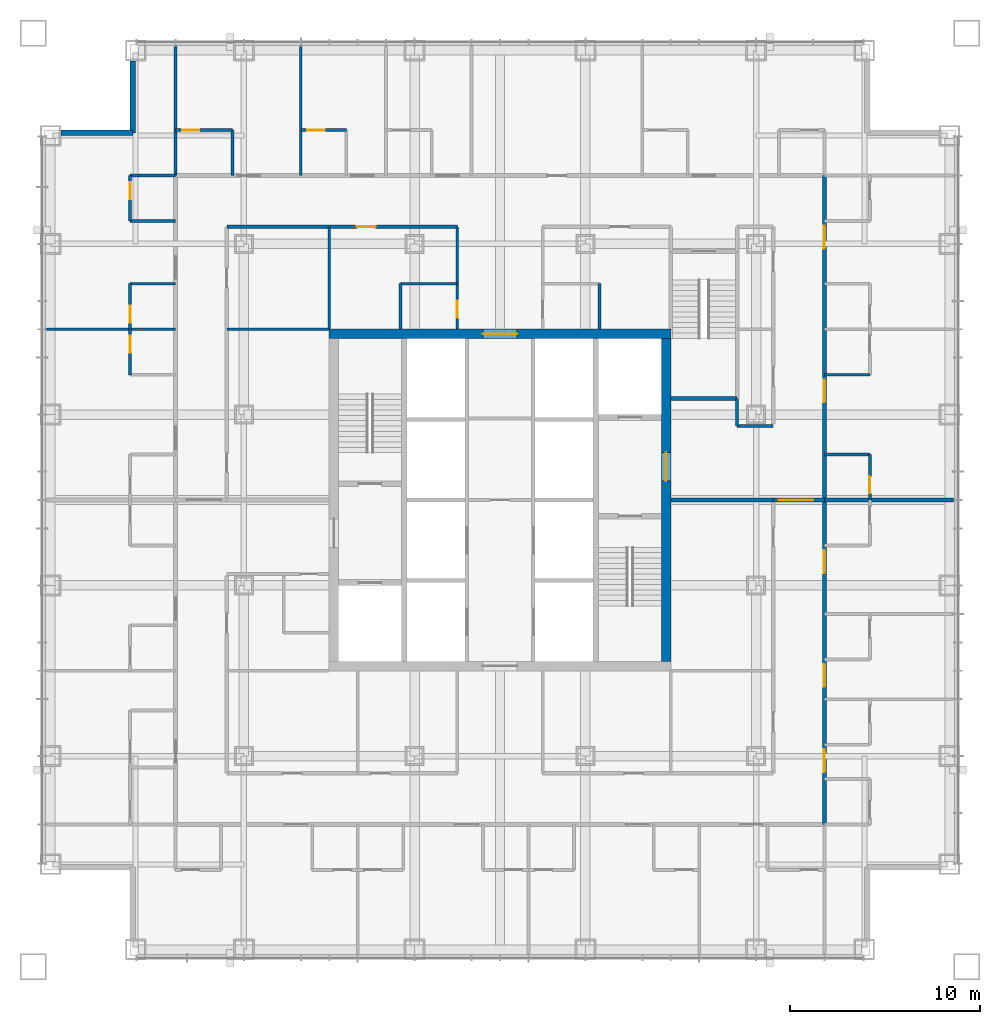
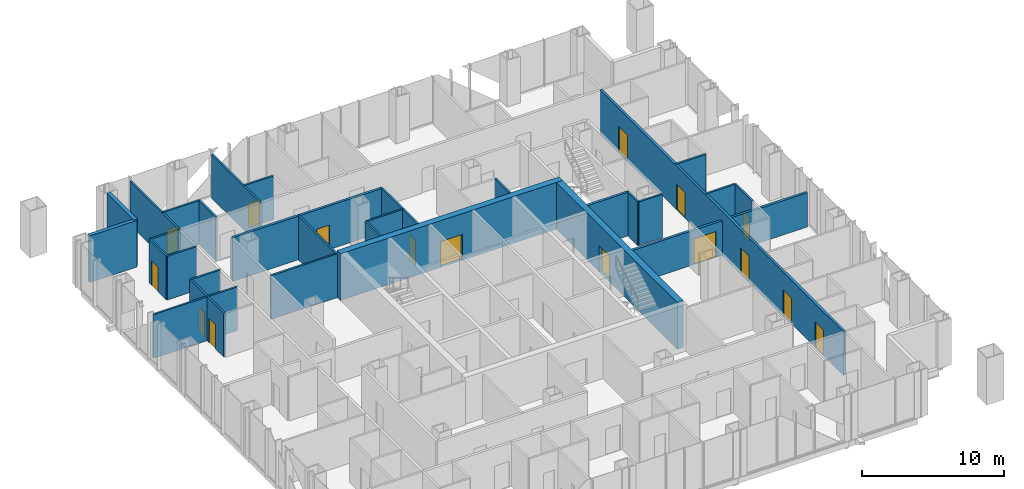
# One storey, part 11 of 16: 33 walls, 16 doors, 16 openings.
"""IFC4 building model written with IfcOpenShell, lengths in metres."""

from ifc_helpers import new_model, si_unit, direction, frame, frame_2d, origin, place, context, subcontext, project, spatial, rectangle, extrude, material, layer, layer_set, type_object, element, fill, save


model = new_model("IFC4")

# Units and contexts
model_context = context("Model", 3, precision=1e-05, world=origin(), true_north=direction((0.0, 1.0)))
body_context = subcontext(model_context, "Body", "Model", "MODEL_VIEW")
ifc_project = project(units=[si_unit("LENGTHUNIT", "METRE"), si_unit("AREAUNIT", "SQUARE_METRE"), si_unit("VOLUMEUNIT", "CUBIC_METRE"), si_unit("PLANEANGLEUNIT", "RADIAN"), si_unit("MASSUNIT", "GRAM", prefix="KILO")], contexts=[model_context])

# Site, building, storey
site_placement = place(None, origin())
site = spatial("IfcSite", under=ifc_project, at=site_placement, CompositionType="ELEMENT")
building_placement = place(site_placement, origin())
building = spatial("IfcBuilding", under=site, at=building_placement, Name="Malebo Sky Hospital", CompositionType="ELEMENT")
storey_placement = place(building_placement, frame((0.0, 0.0, 108.0)))
storey = spatial("IfcBuildingStorey", under=building, at=storey_placement, Name="L25", CompositionType="ELEMENT", Elevation=108.0)

# Wall, opening, door
ifc_material_1 = material(Name="Concrete C80/95", Category="concrete")
ifc_layer_1 = layer(ifc_material_1, 0.5)
ifc_layer_set_1 = layer_set([ifc_layer_1], Name="CORE WALL 500")
wall_type_1 = type_object("IfcWallType", Name="CORE WALL 500", PredefinedType="SHEAR", material=ifc_layer_set_1)
wall_1_placement = place(storey_placement, frame((51.0, 70.75, 0.0), z_axis=(0.0, 0.0, 1.0), x_axis=(1.0, 0.0, 0.0)))
wall_1 = element("IfcWall", 1, at=wall_1_placement, inside=storey, type_object=wall_type_1, Name="Core wall N L25", PredefinedType="SHEAR", context=body_context, shape_type="SweptSolid", body=[
    extrude(rectangle(XDim=18.0, YDim=0.5, at=frame_2d((9.0, 0.0))), origin(), (0.0, 0.0, 1.0), 4.0),
])
opening_1_placement = place(wall_1_placement, frame((8.10009765625, 0.0, 0.0)))
opening_1 = element("IfcOpeningElement", 2, at=opening_1_placement, cuts=wall_1, Name="Opening D06", PredefinedType="OPENING", context=body_context, shape_type="SweptSolid", body=[
    extrude(rectangle(XDim=1.800048828125, YDim=2.199951171875, at=frame_2d((0.89990234375, 1.10009765625))), frame((0.0, 0.260009765625, 0.0), z_axis=(0.0, -1.0, 0.0), x_axis=(1.0, 0.0, 0.0)), (0.0, 0.0, 1.0), 0.52001953125),
])
ifc_material_2 = material(Name="Hardwood-faced door leaf in steel frame", Category="steel")
door_type_1 = type_object("IfcDoorType", Name="LOBBY DOOR PAIR 1800", OperationType="DOUBLE_DOOR_SINGLE_SWING", PredefinedType="DOOR", material=ifc_material_2)
door_1_placement = place(opening_1_placement, origin())
door_1 = element("IfcDoor", 3, at=door_1_placement, inside=storey, type_object=door_type_1, Name="ward pantry door north", OperationType="DOUBLE_DOOR_SINGLE_SWING", OverallHeight=2.199951171875, OverallWidth=1.800048828125, PredefinedType="DOOR", context=body_context, shape_type="SweptSolid", body=[
    extrude(rectangle(XDim=1.800048828125, YDim=2.199951171875, at=frame_2d((0.89990234375, 1.10009765625))), frame((0.0, 0.02490234375, 0.0), z_axis=(0.0, -1.0, 0.0), x_axis=(1.0, 0.0, 0.0)), (0.0, 0.0, 1.0), 0.050048828125),
])
fill(opening_1, door_1)

wall_2_placement = place(storey_placement, frame((68.75, 53.5, 0.0), z_axis=(0.0, 0.0, 1.0), x_axis=(0.0, 1.0, 0.0)))
wall_2 = element("IfcWall", 4, at=wall_2_placement, inside=storey, type_object=wall_type_1, Name="Core wall E L25", PredefinedType="SHEAR", context=body_context, shape_type="SweptSolid", body=[
    extrude(rectangle(XDim=17.0, YDim=0.5, at=frame_2d((8.5, 0.0))), origin(), (0.0, 0.0, 1.0), 4.0),
])
opening_2_placement = place(wall_2_placement, frame((9.5, 0.0, 0.0)))
opening_2 = element("IfcOpeningElement", 5, at=opening_2_placement, cuts=wall_2, Name="Opening D07", PredefinedType="OPENING", context=body_context, shape_type="SweptSolid", body=[
    extrude(rectangle(XDim=1.5, YDim=2.199951171875, at=frame_2d((0.75, 1.10009765625))), frame((0.0, 0.260009765625, 0.0), z_axis=(0.0, -1.0, 0.0), x_axis=(1.0, 0.0, 0.0)), (0.0, 0.0, 1.0), 0.52001953125),
])
door_type_2 = type_object("IfcDoorType", Name="FIRE-FIGHTING LOBBY DOOR PAIR 1500", OperationType="DOUBLE_DOOR_SINGLE_SWING", PredefinedType="DOOR", material=ifc_material_2)
door_2_placement = place(opening_2_placement, origin())
door_2 = element("IfcDoor", 6, at=door_2_placement, inside=storey, type_object=door_type_2, Name="Fire-fighting lobby door east", OperationType="DOUBLE_DOOR_SINGLE_SWING", OverallHeight=2.199951171875, OverallWidth=1.5, PredefinedType="DOOR", context=body_context, shape_type="SweptSolid", body=[
    extrude(rectangle(XDim=1.5, YDim=2.199951171875, at=frame_2d((0.75, 1.10009765625))), frame((0.0, 0.02490234375, 0.0), z_axis=(0.0, -1.0, 0.0), x_axis=(1.0, 0.0, 0.0)), (0.0, 0.0, 1.0), 0.050048828125),
])
fill(opening_2, door_2)

ifc_material_3 = material(Name="Gypsum board on steel studs", Category="steel")
ifc_layer_2 = layer(ifc_material_3, 0.199951171875)
ifc_layer_set_2 = layer_set([ifc_layer_2], Name="CORRIDOR WALL 200")
wall_type_2 = type_object("IfcWallType", Name="CORRIDOR WALL 200", PredefinedType="PARTITIONING", material=ifc_layer_set_2)
wall_3_placement = place(storey_placement, frame((45.60009765625, 76.39990234375, 0.0), z_axis=(0.0, 0.0, 1.0), x_axis=(1.0, 0.0, 0.0)))
wall_3 = element("IfcWall", 7, at=wall_3_placement, inside=storey, type_object=wall_type_2, Name="Corridor Wall 200 NCI1", PredefinedType="PARTITIONING", context=body_context, shape_type="SweptSolid", body=[
    extrude(rectangle(XDim=12.14990234375, YDim=0.199951171875, at=frame_2d((6.074951171875, 0.0))), origin(), (0.0, 0.0, 1.0), 3.75),
])
opening_3_placement = place(wall_3_placement, frame((6.85009765625, 0.0, 0.0)))
opening_3 = element("IfcOpeningElement", 8, at=opening_3_placement, cuts=wall_3, Name="Opening D03", PredefinedType="OPENING", context=body_context, shape_type="SweptSolid", body=[
    extrude(rectangle(XDim=1.0, YDim=2.10009765625, at=frame_2d((0.5, 1.050048828125))), frame((0.0, 0.10986328125, 0.0), z_axis=(0.0, -1.0, 0.0), x_axis=(1.0, 0.0, 0.0)), (0.0, 0.0, 1.0), 0.219970703125),
])
door_type_3 = type_object("IfcDoorType", Name="ROOM DOOR 1000", OperationType="SINGLE_SWING_LEFT", PredefinedType="DOOR", material=ifc_material_2)
door_3_placement = place(opening_3_placement, origin())
door_3 = element("IfcDoor", 9, at=door_3_placement, inside=storey, type_object=door_type_3, Name="Interview room door", OperationType="SINGLE_SWING_LEFT", OverallHeight=2.10009765625, OverallWidth=1.0, PredefinedType="DOOR", context=body_context, shape_type="SweptSolid", body=[
    extrude(rectangle(XDim=1.0, YDim=2.10009765625, at=frame_2d((0.5, 1.050048828125))), frame((0.0, 0.02490234375, 0.0), z_axis=(0.0, -1.0, 0.0), x_axis=(1.0, 0.0, 0.0)), (0.0, 0.0, 1.0), 0.050048828125),
])
fill(opening_3, door_3)

# Wall, openings, doors
wall_4_placement = place(storey_placement, frame((77.10009765625, 79.10009765625, 0.0), z_axis=(0.0, 0.0, 1.0), x_axis=(0.0, -1.0, 0.0)))
wall_4 = element("IfcWall", 10, at=wall_4_placement, inside=storey, type_object=wall_type_2, Name="Corridor Wall 200 ECO", PredefinedType="PARTITIONING", context=body_context, shape_type="SweptSolid", body=[
    extrude(rectangle(XDim=34.2001953125, YDim=0.199951171875, at=frame_2d((17.10009765625, 0.0))), origin(), (0.0, 0.0, 1.0), 3.75),
])
opening_4_placement = place(wall_4_placement, frame((2.64990234375, 0.0, 0.0)))
opening_4 = element("IfcOpeningElement", 11, at=opening_4_placement, cuts=wall_4, Name="Opening D01", PredefinedType="OPENING", context=body_context, shape_type="SweptSolid", body=[
    extrude(rectangle(XDim=1.199951171875, YDim=2.199951171875, at=frame_2d((0.60009765625, 1.10009765625))), frame((0.0, 0.10986328125, 0.0), z_axis=(0.0, -1.0, 0.0), x_axis=(1.0, 0.0, 0.0)), (0.0, 0.0, 1.0), 0.219970703125),
])
opening_5_placement = place(wall_4_placement, frame((10.75, 0.0, 0.0)))
opening_5 = element("IfcOpeningElement", 12, at=opening_5_placement, cuts=wall_4, Name="Opening D01", PredefinedType="OPENING", context=body_context, shape_type="SweptSolid", body=[
    extrude(rectangle(XDim=1.199951171875, YDim=2.199951171875, at=frame_2d((0.60009765625, 1.10009765625))), frame((0.0, 0.10986328125, 0.0), z_axis=(0.0, -1.0, 0.0), x_axis=(1.0, 0.0, 0.0)), (0.0, 0.0, 1.0), 0.219970703125),
])
opening_6_placement = place(wall_4_placement, frame((19.75, 0.0, 0.0)))
opening_6 = element("IfcOpeningElement", 13, at=opening_6_placement, cuts=wall_4, Name="Opening D01", PredefinedType="OPENING", context=body_context, shape_type="SweptSolid", body=[
    extrude(rectangle(XDim=1.199951171875, YDim=2.199951171875, at=frame_2d((0.60009765625, 1.10009765625))), frame((0.0, 0.10986328125, 0.0), z_axis=(0.0, -1.0, 0.0), x_axis=(1.0, 0.0, 0.0)), (0.0, 0.0, 1.0), 0.219970703125),
])
opening_7_placement = place(wall_4_placement, frame((25.75, 0.0, 0.0)))
opening_7 = element("IfcOpeningElement", 14, at=opening_7_placement, cuts=wall_4, Name="Opening D01", PredefinedType="OPENING", context=body_context, shape_type="SweptSolid", body=[
    extrude(rectangle(XDim=1.199951171875, YDim=2.199951171875, at=frame_2d((0.60009765625, 1.10009765625))), frame((0.0, 0.10986328125, 0.0), z_axis=(0.0, -1.0, 0.0), x_axis=(1.0, 0.0, 0.0)), (0.0, 0.0, 1.0), 0.219970703125),
])
opening_8_placement = place(wall_4_placement, frame((30.25, 0.0, 0.0)))
opening_8 = element("IfcOpeningElement", 15, at=opening_8_placement, cuts=wall_4, Name="Opening D01", PredefinedType="OPENING", context=body_context, shape_type="SweptSolid", body=[
    extrude(rectangle(XDim=1.199951171875, YDim=2.199951171875, at=frame_2d((0.60009765625, 1.10009765625))), frame((0.0, 0.10986328125, 0.0), z_axis=(0.0, -1.0, 0.0), x_axis=(1.0, 0.0, 0.0)), (0.0, 0.0, 1.0), 0.219970703125),
])
door_type_4 = type_object("IfcDoorType", Name="BED DOOR 1200", OperationType="SINGLE_SWING_LEFT", PredefinedType="DOOR", material=ifc_material_2)
door_4_placement = place(opening_4_placement, origin())
door_4 = element("IfcDoor", 16, at=door_4_placement, inside=storey, type_object=door_type_4, Name="Four-bed bay door", OperationType="SINGLE_SWING_LEFT", OverallHeight=2.199951171875, OverallWidth=1.199951171875, PredefinedType="DOOR", context=body_context, shape_type="SweptSolid", body=[
    extrude(rectangle(XDim=1.199951171875, YDim=2.199951171875, at=frame_2d((0.60009765625, 1.10009765625))), frame((0.0, 0.02490234375, 0.0), z_axis=(0.0, -1.0, 0.0), x_axis=(1.0, 0.0, 0.0)), (0.0, 0.0, 1.0), 0.050048828125),
])
fill(opening_4, door_4)
door_5_placement = place(opening_5_placement, origin())
door_5 = element("IfcDoor", 17, at=door_5_placement, inside=storey, type_object=door_type_4, Name="Four-bed bay door", OperationType="SINGLE_SWING_LEFT", OverallHeight=2.199951171875, OverallWidth=1.199951171875, PredefinedType="DOOR", context=body_context, shape_type="SweptSolid", body=[
    extrude(rectangle(XDim=1.199951171875, YDim=2.199951171875, at=frame_2d((0.60009765625, 1.10009765625))), frame((0.0, 0.02490234375, 0.0), z_axis=(0.0, -1.0, 0.0), x_axis=(1.0, 0.0, 0.0)), (0.0, 0.0, 1.0), 0.050048828125),
])
fill(opening_5, door_5)
door_6_placement = place(opening_6_placement, origin())
door_6 = element("IfcDoor", 18, at=door_6_placement, inside=storey, type_object=door_type_4, Name="Single bed room door", OperationType="SINGLE_SWING_LEFT", OverallHeight=2.199951171875, OverallWidth=1.199951171875, PredefinedType="DOOR", context=body_context, shape_type="SweptSolid", body=[
    extrude(rectangle(XDim=1.199951171875, YDim=2.199951171875, at=frame_2d((0.60009765625, 1.10009765625))), frame((0.0, 0.02490234375, 0.0), z_axis=(0.0, -1.0, 0.0), x_axis=(1.0, 0.0, 0.0)), (0.0, 0.0, 1.0), 0.050048828125),
])
fill(opening_6, door_6)
door_7_placement = place(opening_7_placement, origin())
door_7 = element("IfcDoor", 19, at=door_7_placement, inside=storey, type_object=door_type_4, Name="Single bed room door", OperationType="SINGLE_SWING_LEFT", OverallHeight=2.199951171875, OverallWidth=1.199951171875, PredefinedType="DOOR", context=body_context, shape_type="SweptSolid", body=[
    extrude(rectangle(XDim=1.199951171875, YDim=2.199951171875, at=frame_2d((0.60009765625, 1.10009765625))), frame((0.0, 0.02490234375, 0.0), z_axis=(0.0, -1.0, 0.0), x_axis=(1.0, 0.0, 0.0)), (0.0, 0.0, 1.0), 0.050048828125),
])
fill(opening_7, door_7)
door_8_placement = place(opening_8_placement, origin())
door_8 = element("IfcDoor", 20, at=door_8_placement, inside=storey, type_object=door_type_4, Name="Four-bed bay door", OperationType="SINGLE_SWING_LEFT", OverallHeight=2.199951171875, OverallWidth=1.199951171875, PredefinedType="DOOR", context=body_context, shape_type="SweptSolid", body=[
    extrude(rectangle(XDim=1.199951171875, YDim=2.199951171875, at=frame_2d((0.60009765625, 1.10009765625))), frame((0.0, 0.02490234375, 0.0), z_axis=(0.0, -1.0, 0.0), x_axis=(1.0, 0.0, 0.0)), (0.0, 0.0, 1.0), 0.050048828125),
])
fill(opening_8, door_8)

# Walls
ifc_material_4 = material(Name="Anodised aluminium rainscreen on steel framing", Category="steel")
ifc_layer_3 = layer(ifc_material_4, 0.300048828125)
ifc_layer_set_3 = layer_set([ifc_layer_3], Name="NOTCH RAINSCREEN WALL 300")
wall_type_3 = type_object("IfcWallType", Name="NOTCH RAINSCREEN WALL 300", PredefinedType="ELEMENTEDWALL", material=ifc_layer_set_3)
for number, where, z_axis, x_axis, name in (
    (21, (36.85009765625, 81.35009765625, 0.0), (0.0, 0.0, 1.0), (1.0, 0.0, 0.0), "Notch rainscreen wall W1 L25"),
    (22, (40.64990234375, 81.35009765625, 0.0), (0.0, 0.0, 1.0), (0.0, 1.0, 0.0), "Notch rainscreen wall W2 L25"),
):
    element("IfcWall", number, at=place(storey_placement, frame(where, z_axis=z_axis, x_axis=x_axis)), inside=storey, type_object=wall_type_3, Name=name, PredefinedType="ELEMENTEDWALL", context=body_context, shape_type="SweptSolid", body=[
        extrude(rectangle(XDim=3.7998046875, YDim=0.300048828125, at=frame_2d((1.89990234375, 0.0))), origin(), (0.0, 0.0, 1.0), 4.0),
    ])
ifc_layer_4 = layer(ifc_material_3, 0.14990234375)
ifc_layer_set_4 = layer_set([ifc_layer_4], Name="PARTITION 150")
wall_type_4 = type_object("IfcWallType", Name="PARTITION 150", PredefinedType="PARTITIONING", material=ifc_layer_set_4)
for number, where, z_axis, x_axis, name in (
    (23, (49.5, 79.10009765625, 0.0), (0.0, 0.0, 1.0), (0.0, 1.0, 0.0), "Partition 150 NP-10.5"),
    (24, (42.89990234375, 79.10009765625, 0.0), (0.0, 0.0, 1.0), (0.0, 1.0, 0.0), "Partition 150 NP0"),
):
    element("IfcWall", number, at=place(storey_placement, frame(where, z_axis=z_axis, x_axis=x_axis)), inside=storey, type_object=wall_type_4, Name=name, PredefinedType="PARTITIONING", context=body_context, shape_type="SweptSolid", body=[
        extrude(rectangle(XDim=6.809814453125, YDim=0.14990234375, at=frame_2d((3.40478515625, 0.0))), origin(), (0.0, 0.0, 1.0), 3.75),
    ])

# Wall, opening, door
wall_5_placement = place(storey_placement, frame((42.89990234375, 81.5, 0.0), z_axis=(0.0, 0.0, 1.0), x_axis=(1.0, 0.0, 0.0)))
wall_5 = element("IfcWall", 25, at=wall_5_placement, inside=storey, type_object=wall_type_4, Name="Partition 150 NE0F", PredefinedType="PARTITIONING", context=body_context, shape_type="SweptSolid", body=[
    extrude(rectangle(XDim=3.0, YDim=0.14990234375, at=frame_2d((1.5, 0.0))), origin(), (0.0, 0.0, 1.0), 3.75),
])
opening_9_placement = place(wall_5_placement, frame((0.35009765625, 0.0, 0.0)))
opening_9 = element("IfcOpeningElement", 26, at=opening_9_placement, cuts=wall_5, Name="Opening D02", PredefinedType="OPENING", context=body_context, shape_type="SweptSolid", body=[
    extrude(rectangle(XDim=0.89990234375, YDim=2.10009765625, at=frame_2d((0.449951171875, 1.050048828125))), frame((0.0, 0.0849609375, 0.0), z_axis=(0.0, -1.0, 0.0), x_axis=(1.0, 0.0, 0.0)), (0.0, 0.0, 1.0), 0.169921875),
])
door_type_5 = type_object("IfcDoorType", Name="EN-SUITE DOOR 900", OperationType="SINGLE_SWING_LEFT", PredefinedType="DOOR", material=ifc_material_2)
door_9_placement = place(opening_9_placement, origin())
door_9 = element("IfcDoor", 27, at=door_9_placement, inside=storey, type_object=door_type_5, Name="En-suite door", OperationType="SINGLE_SWING_LEFT", OverallHeight=2.10009765625, OverallWidth=0.89990234375, PredefinedType="DOOR", context=body_context, shape_type="SweptSolid", body=[
    extrude(rectangle(XDim=0.89990234375, YDim=2.10009765625, at=frame_2d((0.449951171875, 1.050048828125))), frame((0.0, 0.02490234375, 0.0), z_axis=(0.0, -1.0, 0.0), x_axis=(1.0, 0.0, 0.0)), (0.0, 0.0, 1.0), 0.050048828125),
])
fill(opening_9, door_9)

# Wall
wall_6_placement = place(storey_placement, frame((45.89990234375, 79.10009765625, 0.0), z_axis=(0.0, 0.0, 1.0), x_axis=(0.0, 1.0, 0.0)))
element("IfcWall", 28, at=wall_6_placement, inside=storey, type_object=wall_type_4, Name="Partition 150 NE0S", PredefinedType="PARTITIONING", context=body_context, shape_type="SweptSolid", body=[
    extrude(rectangle(XDim=2.39990234375, YDim=0.14990234375, at=frame_2d((1.199951171875, 0.0))), origin(), (0.0, 0.0, 1.0), 3.75),
])

# Wall, opening, door
wall_7_placement = place(storey_placement, frame((49.5, 81.5, 0.0), z_axis=(0.0, 0.0, 1.0), x_axis=(1.0, 0.0, 0.0)))
wall_7 = element("IfcWall", 29, at=wall_7_placement, inside=storey, type_object=wall_type_4, Name="Partition 150 NE1F", PredefinedType="PARTITIONING", context=body_context, shape_type="SweptSolid", body=[
    extrude(rectangle(XDim=2.39990234375, YDim=0.14990234375, at=frame_2d((1.199951171875, 0.0))), origin(), (0.0, 0.0, 1.0), 3.75),
])
opening_10_placement = place(wall_7_placement, frame((0.35009765625, 0.0, 0.0)))
opening_10 = element("IfcOpeningElement", 30, at=opening_10_placement, cuts=wall_7, Name="Opening D02", PredefinedType="OPENING", context=body_context, shape_type="SweptSolid", body=[
    extrude(rectangle(XDim=0.89990234375, YDim=2.10009765625, at=frame_2d((0.449951171875, 1.050048828125))), frame((0.0, 0.0849609375, 0.0), z_axis=(0.0, -1.0, 0.0), x_axis=(1.0, 0.0, 0.0)), (0.0, 0.0, 1.0), 0.169921875),
])
door_10_placement = place(opening_10_placement, origin())
door_10 = element("IfcDoor", 31, at=door_10_placement, inside=storey, type_object=door_type_5, Name="En-suite door", OperationType="SINGLE_SWING_LEFT", OverallHeight=2.10009765625, OverallWidth=0.89990234375, PredefinedType="DOOR", context=body_context, shape_type="SweptSolid", body=[
    extrude(rectangle(XDim=0.89990234375, YDim=2.10009765625, at=frame_2d((0.449951171875, 1.050048828125))), frame((0.0, 0.02490234375, 0.0), z_axis=(0.0, -1.0, 0.0), x_axis=(1.0, 0.0, 0.0)), (0.0, 0.0, 1.0), 0.050048828125),
])
fill(opening_10, door_10)

# Wall
wall_8_placement = place(storey_placement, frame((51.0, 71.0, 0.0), z_axis=(0.0, 0.0, 1.0), x_axis=(0.0, 1.0, 0.0)))
element("IfcWall", 32, at=wall_8_placement, inside=storey, type_object=wall_type_4, Name="Partition 150 NSP0", PredefinedType="PARTITIONING", context=body_context, shape_type="SweptSolid", body=[
    extrude(rectangle(XDim=5.39990234375, YDim=0.14990234375, at=frame_2d((2.699951171875, 0.0))), origin(), (0.0, 0.0, 1.0), 3.75),
])

# Wall, opening, door
wall_9_placement = place(storey_placement, frame((57.75, 71.0, 0.0), z_axis=(0.0, 0.0, 1.0), x_axis=(0.0, 1.0, 0.0)))
wall_9 = element("IfcWall", 33, at=wall_9_placement, inside=storey, type_object=wall_type_4, Name="Partition 150 NSPA", PredefinedType="PARTITIONING", context=body_context, shape_type="SweptSolid", body=[
    extrude(rectangle(XDim=5.39990234375, YDim=0.14990234375, at=frame_2d((2.699951171875, 0.0))), origin(), (0.0, 0.0, 1.0), 3.75),
])
opening_11_placement = place(wall_9_placement, frame((0.60009765625, 0.0, 0.0)))
opening_11 = element("IfcOpeningElement", 34, at=opening_11_placement, cuts=wall_9, Name="Opening D04", PredefinedType="OPENING", context=body_context, shape_type="SweptSolid", body=[
    extrude(rectangle(XDim=0.89990234375, YDim=2.10009765625, at=frame_2d((0.449951171875, 1.050048828125))), frame((0.0, 0.0849609375, 0.0), z_axis=(0.0, -1.0, 0.0), x_axis=(1.0, 0.0, 0.0)), (0.0, 0.0, 1.0), 0.169921875),
])
door_type_6 = type_object("IfcDoorType", Name="ROOM DOOR 900", OperationType="SINGLE_SWING_LEFT", PredefinedType="DOOR", material=ifc_material_2)
door_11_placement = place(opening_11_placement, origin())
door_11 = element("IfcDoor", 35, at=door_11_placement, inside=storey, type_object=door_type_6, Name="Staff WC door", OperationType="SINGLE_SWING_LEFT", OverallHeight=2.10009765625, OverallWidth=0.89990234375, PredefinedType="DOOR", context=body_context, shape_type="SweptSolid", body=[
    extrude(rectangle(XDim=0.89990234375, YDim=2.10009765625, at=frame_2d((0.449951171875, 1.050048828125))), frame((0.0, 0.02490234375, 0.0), z_axis=(0.0, -1.0, 0.0), x_axis=(1.0, 0.0, 0.0)), (0.0, 0.0, 1.0), 0.050048828125),
])
fill(opening_11, door_11)

# Walls
wall_10_placement = place(storey_placement, frame((54.75, 73.39990234375, 0.0), z_axis=(0.0, 0.0, 1.0), x_axis=(1.0, 0.0, 0.0)))
element("IfcWall", 36, at=wall_10_placement, inside=storey, type_object=wall_type_4, Name="Partition 150 NSX0", PredefinedType="PARTITIONING", context=body_context, shape_type="SweptSolid", body=[
    extrude(rectangle(XDim=3.0, YDim=0.14990234375, at=frame_2d((1.5, 0.0))), origin(), (0.0, 0.0, 1.0), 3.75),
])
for number, where, z_axis, x_axis, name in (
    (37, (54.75, 71.0, 0.0), (0.0, 0.0, 1.0), (0.0, 1.0, 0.0), "Partition 150 NSY0"),
    (38, (65.25, 71.0, 0.0), (0.0, 0.0, 1.0), (0.0, 1.0, 0.0), "Partition 150 NSY1"),
):
    element("IfcWall", number, at=place(storey_placement, frame(where, z_axis=z_axis, x_axis=x_axis)), inside=storey, type_object=wall_type_4, Name=name, PredefinedType="PARTITIONING", context=body_context, shape_type="SweptSolid", body=[
        extrude(rectangle(XDim=2.39990234375, YDim=0.14990234375, at=frame_2d((1.199951171875, 0.0))), origin(), (0.0, 0.0, 1.0), 3.75),
    ])
wall_11_placement = place(storey_placement, frame((42.89990234375, 71.0, 0.0), z_axis=(0.0, 0.0, 1.0), x_axis=(-1.0, 0.0, 0.0)))
element("IfcWall", 39, at=wall_11_placement, inside=storey, type_object=wall_type_4, Name="Partition 150 WP+9.0", PredefinedType="PARTITIONING", context=body_context, shape_type="SweptSolid", body=[
    extrude(rectangle(XDim=6.809814453125, YDim=0.14990234375, at=frame_2d((3.40478515625, 0.0))), origin(), (0.0, 0.0, 1.0), 3.75),
])

# Wall, opening, door
wall_12_placement = place(storey_placement, frame((40.5, 68.60009765625, 0.0), z_axis=(0.0, 0.0, 1.0), x_axis=(0.0, 1.0, 0.0)))
wall_12 = element("IfcWall", 40, at=wall_12_placement, inside=storey, type_object=wall_type_4, Name="Partition 150 WG2F", PredefinedType="PARTITIONING", context=body_context, shape_type="SweptSolid", body=[
    extrude(rectangle(XDim=2.39990234375, YDim=0.14990234375, at=frame_2d((1.199951171875, 0.0))), origin(), (0.0, 0.0, 1.0), 3.75),
])
opening_12_placement = place(wall_12_placement, frame((1.14990234375, 0.0, 0.0)))
opening_12 = element("IfcOpeningElement", 41, at=opening_12_placement, cuts=wall_12, Name="Opening D02", PredefinedType="OPENING", context=body_context, shape_type="SweptSolid", body=[
    extrude(rectangle(XDim=0.89990234375, YDim=2.10009765625, at=frame_2d((0.449951171875, 1.050048828125))), frame((0.0, 0.0849609375, 0.0), z_axis=(0.0, -1.0, 0.0), x_axis=(1.0, 0.0, 0.0)), (0.0, 0.0, 1.0), 0.169921875),
])
door_12_placement = place(opening_12_placement, origin())
door_12 = element("IfcDoor", 42, at=door_12_placement, inside=storey, type_object=door_type_5, Name="En-suite door", OperationType="SINGLE_SWING_RIGHT", OverallHeight=2.10009765625, OverallWidth=0.89990234375, PredefinedType="DOOR", context=body_context, shape_type="SweptSolid", body=[
    extrude(rectangle(XDim=0.89990234375, YDim=2.10009765625, at=frame_2d((0.449951171875, 1.050048828125))), frame((0.0, 0.02490234375, 0.0), z_axis=(0.0, -1.0, 0.0), x_axis=(1.0, 0.0, 0.0)), (0.0, 0.0, 1.0), 0.050048828125),
])
fill(opening_12, door_12)

wall_13_placement = place(storey_placement, frame((40.5, 71.0, 0.0), z_axis=(0.0, 0.0, 1.0), x_axis=(0.0, 1.0, 0.0)))
wall_13 = element("IfcWall", 43, at=wall_13_placement, inside=storey, type_object=wall_type_4, Name="Partition 150 WE3F", PredefinedType="PARTITIONING", context=body_context, shape_type="SweptSolid", body=[
    extrude(rectangle(XDim=2.39990234375, YDim=0.14990234375, at=frame_2d((1.199951171875, 0.0))), origin(), (0.0, 0.0, 1.0), 3.75),
])
opening_13_placement = place(wall_13_placement, frame((0.35009765625, 0.0, 0.0)))
opening_13 = element("IfcOpeningElement", 44, at=opening_13_placement, cuts=wall_13, Name="Opening D02", PredefinedType="OPENING", context=body_context, shape_type="SweptSolid", body=[
    extrude(rectangle(XDim=0.89990234375, YDim=2.10009765625, at=frame_2d((0.449951171875, 1.050048828125))), frame((0.0, 0.0849609375, 0.0), z_axis=(0.0, -1.0, 0.0), x_axis=(1.0, 0.0, 0.0)), (0.0, 0.0, 1.0), 0.169921875),
])
door_13_placement = place(opening_13_placement, origin())
door_13 = element("IfcDoor", 45, at=door_13_placement, inside=storey, type_object=door_type_5, Name="En-suite door", OperationType="SINGLE_SWING_LEFT", OverallHeight=2.10009765625, OverallWidth=0.89990234375, PredefinedType="DOOR", context=body_context, shape_type="SweptSolid", body=[
    extrude(rectangle(XDim=0.89990234375, YDim=2.10009765625, at=frame_2d((0.449951171875, 1.050048828125))), frame((0.0, 0.02490234375, 0.0), z_axis=(0.0, -1.0, 0.0), x_axis=(1.0, 0.0, 0.0)), (0.0, 0.0, 1.0), 0.050048828125),
])
fill(opening_13, door_13)

# Wall
wall_14_placement = place(storey_placement, frame((42.89990234375, 73.39990234375, 0.0), z_axis=(0.0, 0.0, 1.0), x_axis=(-1.0, 0.0, 0.0)))
element("IfcWall", 46, at=wall_14_placement, inside=storey, type_object=wall_type_4, Name="Partition 150 WE3S", PredefinedType="PARTITIONING", context=body_context, shape_type="SweptSolid", body=[
    extrude(rectangle(XDim=2.39990234375, YDim=0.14990234375, at=frame_2d((1.199951171875, 0.0))), origin(), (0.0, 0.0, 1.0), 3.75),
])

# Wall, opening, door
wall_15_placement = place(storey_placement, frame((40.5, 76.699951171875, 0.0), z_axis=(0.0, 0.0, 1.0), x_axis=(0.0, 1.0, 0.0)))
wall_15 = element("IfcWall", 47, at=wall_15_placement, inside=storey, type_object=wall_type_4, Name="Partition 150 WG3F", PredefinedType="PARTITIONING", context=body_context, shape_type="SweptSolid", body=[
    extrude(rectangle(XDim=2.400146484375, YDim=0.14990234375, at=frame_2d((1.2001953125, 0.0))), origin(), (0.0, 0.0, 1.0), 3.75),
])
opening_14_placement = place(wall_15_placement, frame((1.14990234375, 0.0, 0.0)))
opening_14 = element("IfcOpeningElement", 48, at=opening_14_placement, cuts=wall_15, Name="Opening D02", PredefinedType="OPENING", context=body_context, shape_type="SweptSolid", body=[
    extrude(rectangle(XDim=0.89990234375, YDim=2.10009765625, at=frame_2d((0.449951171875, 1.050048828125))), frame((0.0, 0.0849609375, 0.0), z_axis=(0.0, -1.0, 0.0), x_axis=(1.0, 0.0, 0.0)), (0.0, 0.0, 1.0), 0.169921875),
])
door_14_placement = place(opening_14_placement, origin())
door_14 = element("IfcDoor", 49, at=door_14_placement, inside=storey, type_object=door_type_5, Name="En-suite door", OperationType="SINGLE_SWING_RIGHT", OverallHeight=2.10009765625, OverallWidth=0.89990234375, PredefinedType="DOOR", context=body_context, shape_type="SweptSolid", body=[
    extrude(rectangle(XDim=0.89990234375, YDim=2.10009765625, at=frame_2d((0.449951171875, 1.050048828125))), frame((0.0, 0.02490234375, 0.0), z_axis=(0.0, -1.0, 0.0), x_axis=(1.0, 0.0, 0.0)), (0.0, 0.0, 1.0), 0.050048828125),
])
fill(opening_14, door_14)

# Walls
for number, where, z_axis, x_axis, name in (
    (50, (42.89990234375, 76.699951171875, 0.0), (0.0, 0.0, 1.0), (-1.0, 0.0, 0.0), "Partition 150 WG3S"),
    (51, (42.89990234375, 79.10009765625, 0.0), (0.0, 0.0, 1.0), (-1.0, 0.0, 0.0), "Partition 150 WEZ"),
):
    element("IfcWall", number, at=place(storey_placement, frame(where, z_axis=z_axis, x_axis=x_axis)), inside=storey, type_object=wall_type_4, Name=name, PredefinedType="PARTITIONING", context=body_context, shape_type="SweptSolid", body=[
        extrude(rectangle(XDim=2.39990234375, YDim=0.14990234375, at=frame_2d((1.199951171875, 0.0))), origin(), (0.0, 0.0, 1.0), 3.75),
    ])
wall_16_placement = place(storey_placement, frame((51.0, 71.0, 0.0), z_axis=(0.0, 0.0, 1.0), x_axis=(-1.0, 0.0, 0.0)))
element("IfcWall", 52, at=wall_16_placement, inside=storey, type_object=wall_type_4, Name="Partition 150 WSP+9.0", PredefinedType="PARTITIONING", context=body_context, shape_type="SweptSolid", body=[
    extrude(rectangle(XDim=5.39990234375, YDim=0.14990234375, at=frame_2d((2.699951171875, 0.0))), origin(), (0.0, 0.0, 1.0), 3.75),
])
wall_17_placement = place(storey_placement, frame((77.10009765625, 68.60009765625, 0.0), z_axis=(0.0, 0.0, 1.0), x_axis=(1.0, 0.0, 0.0)))
element("IfcWall", 53, at=wall_17_placement, inside=storey, type_object=wall_type_4, Name="Partition 150 EE1S", PredefinedType="PARTITIONING", context=body_context, shape_type="SweptSolid", body=[
    extrude(rectangle(XDim=2.39990234375, YDim=0.14990234375, at=frame_2d((1.199951171875, 0.0))), origin(), (0.0, 0.0, 1.0), 3.75),
])

# Wall, opening, door
wall_18_placement = place(storey_placement, frame((79.5, 64.39990234375, 0.0), z_axis=(0.0, 0.0, 1.0), x_axis=(0.0, -1.0, 0.0)))
wall_18 = element("IfcWall", 54, at=wall_18_placement, inside=storey, type_object=wall_type_4, Name="Partition 150 EG1F", PredefinedType="PARTITIONING", context=body_context, shape_type="SweptSolid", body=[
    extrude(rectangle(XDim=2.39990234375, YDim=0.14990234375, at=frame_2d((1.199951171875, 0.0))), origin(), (0.0, 0.0, 1.0), 3.75),
])
opening_15_placement = place(wall_18_placement, frame((1.14990234375, 0.0, 0.0)))
opening_15 = element("IfcOpeningElement", 55, at=opening_15_placement, cuts=wall_18, Name="Opening D02", PredefinedType="OPENING", context=body_context, shape_type="SweptSolid", body=[
    extrude(rectangle(XDim=0.89990234375, YDim=2.10009765625, at=frame_2d((0.449951171875, 1.050048828125))), frame((0.0, 0.0849609375, 0.0), z_axis=(0.0, -1.0, 0.0), x_axis=(1.0, 0.0, 0.0)), (0.0, 0.0, 1.0), 0.169921875),
])
door_15_placement = place(opening_15_placement, origin())
door_15 = element("IfcDoor", 56, at=door_15_placement, inside=storey, type_object=door_type_5, Name="En-suite door", OperationType="SINGLE_SWING_RIGHT", OverallHeight=2.10009765625, OverallWidth=0.89990234375, PredefinedType="DOOR", context=body_context, shape_type="SweptSolid", body=[
    extrude(rectangle(XDim=0.89990234375, YDim=2.10009765625, at=frame_2d((0.449951171875, 1.050048828125))), frame((0.0, 0.02490234375, 0.0), z_axis=(0.0, -1.0, 0.0), x_axis=(1.0, 0.0, 0.0)), (0.0, 0.0, 1.0), 0.050048828125),
])
fill(opening_15, door_15)

# Walls
wall_19_placement = place(storey_placement, frame((77.10009765625, 64.39990234375, 0.0), z_axis=(0.0, 0.0, 1.0), x_axis=(1.0, 0.0, 0.0)))
element("IfcWall", 57, at=wall_19_placement, inside=storey, type_object=wall_type_4, Name="Partition 150 EG1S", PredefinedType="PARTITIONING", context=body_context, shape_type="SweptSolid", body=[
    extrude(rectangle(XDim=2.39990234375, YDim=0.14990234375, at=frame_2d((1.199951171875, 0.0))), origin(), (0.0, 0.0, 1.0), 3.75),
])
wall_20_placement = place(storey_placement, frame((72.5, 65.89990234375, 0.0), z_axis=(0.0, 0.0, 1.0), x_axis=(1.0, 0.0, 0.0)))
element("IfcWall", 58, at=wall_20_placement, inside=storey, type_object=wall_type_4, Name="Partition 150 ESPA", PredefinedType="PARTITIONING", context=body_context, shape_type="SweptSolid", body=[
    extrude(rectangle(XDim=1.89990234375, YDim=0.14990234375, at=frame_2d((0.949951171875, 0.0))), origin(), (0.0, 0.0, 1.0), 3.75),
])
wall_21_placement = place(storey_placement, frame((72.5, 65.89990234375, 0.0), z_axis=(0.0, 0.0, 1.0), x_axis=(0.0, 1.0, 0.0)))
element("IfcWall", 59, at=wall_21_placement, inside=storey, type_object=wall_type_4, Name="Partition 150 ST3C", PredefinedType="PARTITIONING", context=body_context, shape_type="SweptSolid", body=[
    extrude(rectangle(XDim=1.4501953125, YDim=0.14990234375, at=frame_2d((0.72509765625, 0.0))), origin(), (0.0, 0.0, 1.0), 3.75),
])
ifc_material_5 = material(Name="Concrete blockwork", Category="masonry")
ifc_layer_5 = layer(ifc_material_5, 0.199951171875)
ifc_layer_set_5 = layer_set([ifc_layer_5], Name="SMOKE BARRIER WALL 200")
wall_type_5 = type_object("IfcWallType", Name="SMOKE BARRIER WALL 200", PredefinedType="SOLIDWALL", material=ifc_layer_set_5)
wall_22_placement = place(storey_placement, frame((77.10009765625, 62.0, 0.0), z_axis=(0.0, 0.0, 1.0), x_axis=(1.0, 0.0, 0.0)))
element("IfcWall", 60, at=wall_22_placement, inside=storey, type_object=wall_type_5, Name="Smoke Barrier Wall 200 EP+0.0", PredefinedType="SOLIDWALL", context=body_context, shape_type="SweptSolid", body=[
    extrude(rectangle(XDim=6.809814453125, YDim=0.199951171875, at=frame_2d((3.40478515625, 0.0))), origin(), (0.0, 0.0, 1.0), 2.949951171875),
])
wall_23_placement = place(storey_placement, frame((69.0, 62.0, 0.0), z_axis=(0.0, 0.0, 1.0), x_axis=(1.0, 0.0, 0.0)))
element("IfcWall", 61, at=wall_23_placement, inside=storey, type_object=wall_type_5, Name="Smoke Barrier Wall 200 ESPB", PredefinedType="SOLIDWALL", context=body_context, shape_type="SweptSolid", body=[
    extrude(rectangle(XDim=5.39990234375, YDim=0.199951171875, at=frame_2d((2.699951171875, 0.0))), origin(), (0.0, 0.0, 1.0), 2.949951171875),
])

# Wall, opening, door
wall_24_placement = place(storey_placement, frame((74.39990234375, 62.0, 0.0), z_axis=(0.0, 0.0, 1.0), x_axis=(1.0, 0.0, 0.0)))
wall_24 = element("IfcWall", 62, at=wall_24_placement, inside=storey, type_object=wall_type_5, Name="Smoke Barrier Wall 200 ESB", PredefinedType="SOLIDWALL", context=body_context, shape_type="SweptSolid", body=[
    extrude(rectangle(XDim=2.7001953125, YDim=0.199951171875, at=frame_2d((1.35009765625, 0.0))), origin(), (0.0, 0.0, 1.0), 2.949951171875),
])
opening_16_placement = place(wall_24_placement, frame((0.300048828125, 0.0, 0.0)))
opening_16 = element("IfcOpeningElement", 63, at=opening_16_placement, cuts=wall_24, Name="Opening D05", PredefinedType="OPENING", context=body_context, shape_type="SweptSolid", body=[
    extrude(rectangle(XDim=1.800048828125, YDim=2.199951171875, at=frame_2d((0.89990234375, 1.10009765625))), frame((0.0, 0.10986328125, 0.0), z_axis=(0.0, -1.0, 0.0), x_axis=(1.0, 0.0, 0.0)), (0.0, 0.0, 1.0), 0.219970703125),
])
door_type_7 = type_object("IfcDoorType", Name="SMOKE DOOR PAIR 1800", OperationType="DOUBLE_DOOR_DOUBLE_SWING", PredefinedType="DOOR", material=ifc_material_2)
door_16_placement = place(opening_16_placement, origin())
door_16 = element("IfcDoor", 64, at=door_16_placement, inside=storey, type_object=door_type_7, Name="Smoke compartment door pair", OperationType="DOUBLE_DOOR_DOUBLE_SWING", OverallHeight=2.199951171875, OverallWidth=1.800048828125, PredefinedType="DOOR", context=body_context, shape_type="SweptSolid", body=[
    extrude(rectangle(XDim=1.800048828125, YDim=2.199951171875, at=frame_2d((0.89990234375, 1.10009765625))), frame((0.0, 0.02490234375, 0.0), z_axis=(0.0, -1.0, 0.0), x_axis=(1.0, 0.0, 0.0)), (0.0, 0.0, 1.0), 0.050048828125),
])
fill(opening_16, door_16)

# Wall
ifc_material_6 = material(Name="Concrete C40/50", Category="concrete")
ifc_layer_6 = layer(ifc_material_6, 0.199951171875)
ifc_layer_set_6 = layer_set([ifc_layer_6], Name="STAIR ENCLOSURE WALL 200")
wall_type_6 = type_object("IfcWallType", Name="STAIR ENCLOSURE WALL 200", PredefinedType="SOLIDWALL", material=ifc_layer_set_6)
wall_25_placement = place(storey_placement, frame((69.0, 67.35009765625, 0.0), z_axis=(0.0, 0.0, 1.0), x_axis=(1.0, 0.0, 0.0)))
element("IfcWall", 65, at=wall_25_placement, inside=storey, type_object=wall_type_6, Name="Stair Enclosure Wall 200 ST3S", PredefinedType="SOLIDWALL", context=body_context, shape_type="SweptSolid", body=[
    extrude(rectangle(XDim=3.5, YDim=0.199951171875, at=frame_2d((1.75, 0.0))), origin(), (0.0, 0.0, 1.0), 3.75),
])

save(model, "model.ifc")
